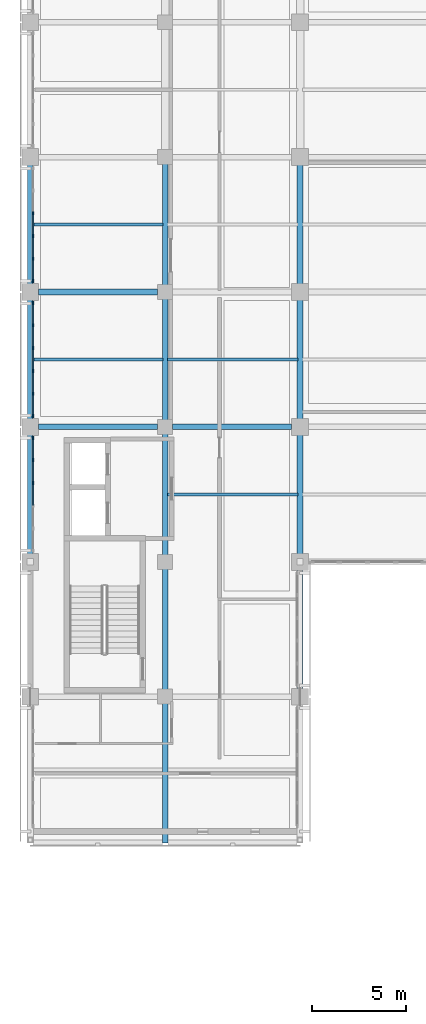
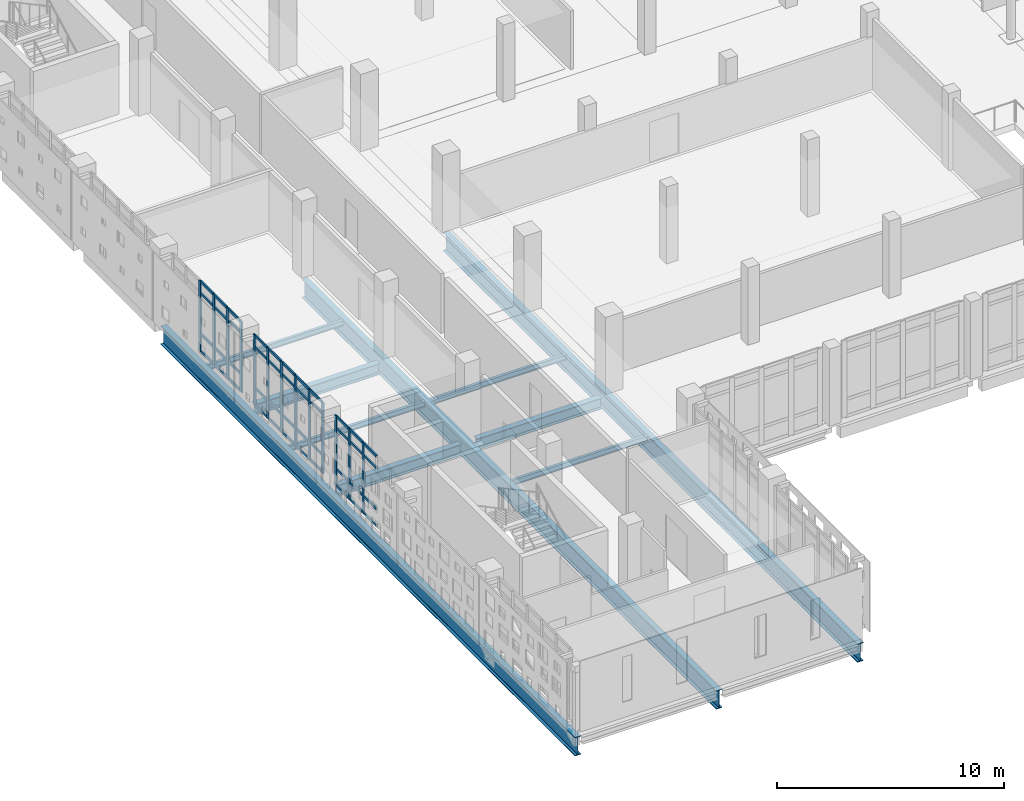
# One storey, part 11 of 62: 57 members, 10 beams, 3 elements without a shape of their own.
"""IFC4 building model written with IfcOpenShell, lengths in metres."""

from ifc_helpers import new_model, si_unit, direction, frame, origin, origin_2d, place, context, subcontext, project, spatial, rectangle, i_section, extrude, material, layer, layer_set, material_profile, profile_set, type_object, element, aggregate, save


model = new_model("IFC4")

# Units and contexts
model_context = context("Model", 3, precision=1e-05, world=origin(), true_north=direction((0.0, 1.0)))
body_context = subcontext(model_context, "Body", "Model", "MODEL_VIEW")
ifc_project = project(units=[si_unit("LENGTHUNIT", "METRE"), si_unit("AREAUNIT", "SQUARE_METRE"), si_unit("VOLUMEUNIT", "CUBIC_METRE"), si_unit("PLANEANGLEUNIT", "RADIAN"), si_unit("MASSUNIT", "GRAM", prefix="KILO")], contexts=[model_context])

# Site, building, storey
site_placement = place(None, origin())
site = spatial("IfcSite", under=ifc_project, at=site_placement, CompositionType="ELEMENT")
building_placement = place(site_placement, origin())
building = spatial("IfcBuilding", under=site, at=building_placement, Name="Valkovuoma Quantum and Materials Research Institute", CompositionType="ELEMENT")
storey_placement = place(building_placement, frame((0.0, 0.0, 13.1201171875)))
storey = spatial("IfcBuildingStorey", under=building, at=storey_placement, Name="L03", CompositionType="ELEMENT", Elevation=13.1201171875)

# Beams
ifc_material_1 = material(Name="Steel S355J2", Category="steel")
ifc_material_profile_1 = material_profile(ifc_material_1, i_section(OverallWidth=0.300048828125, OverallDepth=1.0, WebThickness=0.01904296875, FlangeThickness=0.035888671875, FilletRadius=0.030029296875, at=origin_2d()), Name="Steel S355J2")
ifc_profile_set_1 = profile_set([ifc_material_profile_1], Name="Steel S355J2")
beam_type_1 = type_object("IfcBeamType", Name="Beam-B-HEB1000", PredefinedType="BEAM", material=ifc_profile_set_1)
for number, where, z_axis, x_axis, name in (
    (1, (0.0, 21.0, -0.85009765625), (0.0, 1.0, 0.0), (-1.0, 0.0, 0.0), "L03 cantilever girder X0"),
    (2, (7.199951171875, 21.0, -0.85009765625), (0.0, 1.0, 0.0), (-1.0, 0.0, 0.0), "L03 cantilever girder X1"),
    (3, (14.39990234375, 21.0, -0.85009765625), (0.0, 1.0, 0.0), (-1.0, 0.0, 0.0), "L03 cantilever girder X2"),
):
    element("IfcBeam", number, at=place(storey_placement, frame(where, z_axis=z_axis, x_axis=x_axis)), inside=storey, type_object=beam_type_1, Name=name, PredefinedType="BEAM", context=body_context, shape_type="SweptSolid", body=[
        extrude(i_section(OverallWidth=0.300048828125, OverallDepth=1.0, WebThickness=0.01904296875, FlangeThickness=0.035888671875, FilletRadius=0.030029296875, at=origin_2d()), origin(), (0.0, 0.0, 1.0), 36.60009765625),
    ])
ifc_material_2 = material(Name="Steel S355J2", Category="steel")
ifc_material_profile_2 = material_profile(ifc_material_2, i_section(OverallWidth=0.300048828125, OverallDepth=0.60009765625, WebThickness=0.015380859375, FlangeThickness=0.030029296875, FilletRadius=0.027099609375, at=origin_2d()), Name="Steel S355J2")
ifc_profile_set_2 = profile_set([ifc_material_profile_2], Name="Steel S355J2")
beam_type_2 = type_object("IfcBeamType", Name="Beam-B-HEB600", PredefinedType="BEAM", material=ifc_profile_set_2)
beam_1_placement = place(storey_placement, frame((0.449951171875, 43.199951171875, -0.650146484375), z_axis=(1.0, 0.0, 0.0), x_axis=(0.0, 1.0, 0.0)))
element("IfcBeam", 4, at=beam_1_placement, inside=storey, type_object=beam_type_2, Name="L03 beam X-1443", PredefinedType="BEAM", context=body_context, shape_type="SweptSolid", body=[
    extrude(i_section(OverallWidth=0.300048828125, OverallDepth=0.60009765625, WebThickness=0.015380859375, FlangeThickness=0.030029296875, FilletRadius=0.027099609375, at=origin_2d()), origin(), (0.0, 0.0, 1.0), 6.35009765625),
])
beam_2_placement = place(storey_placement, frame((7.60009765625, 43.199951171875, -0.650146484375), z_axis=(1.0, 0.0, 0.0), x_axis=(0.0, 1.0, 0.0)))
element("IfcBeam", 5, at=beam_2_placement, inside=storey, type_object=beam_type_2, Name="L03 beam X-1444", PredefinedType="BEAM", context=body_context, shape_type="SweptSolid", body=[
    extrude(i_section(OverallWidth=0.300048828125, OverallDepth=0.60009765625, WebThickness=0.015380859375, FlangeThickness=0.030029296875, FilletRadius=0.027099609375, at=origin_2d()), origin(), (0.0, 0.0, 1.0), 6.349853515625),
])
beam_3_placement = place(storey_placement, frame((0.449951171875, 50.39990234375, -0.650146484375), z_axis=(1.0, 0.0, 0.0), x_axis=(0.0, 1.0, 0.0)))
element("IfcBeam", 6, at=beam_3_placement, inside=storey, type_object=beam_type_2, Name="L03 beam X-1454", PredefinedType="BEAM", context=body_context, shape_type="SweptSolid", body=[
    extrude(i_section(OverallWidth=0.300048828125, OverallDepth=0.60009765625, WebThickness=0.015380859375, FlangeThickness=0.030029296875, FilletRadius=0.027099609375, at=origin_2d()), origin(), (0.0, 0.0, 1.0), 6.35009765625),
])
ifc_material_3 = material(Name="Steel S355J2", Category="steel")
ifc_material_profile_3 = material_profile(ifc_material_3, i_section(OverallWidth=0.14990234375, OverallDepth=0.300048828125, WebThickness=0.007080078125, FlangeThickness=0.0107421875, FilletRadius=0.014892578125, at=origin_2d()), Name="Steel S355J2")
ifc_profile_set_3 = profile_set([ifc_material_profile_3], Name="Steel S355J2")
beam_type_3 = type_object("IfcBeamType", Name="Beam-B-JST300", PredefinedType="JOIST", material=ifc_profile_set_3)
for number, where, z_axis, x_axis, name in (
    (7, (7.320068359375, 39.60009765625, -0.5), (1.0, 0.0, 0.0), (0.0, 1.0, 0.0), "L03 floor joist 1702"),
    (8, (0.1201171875, 46.800048828125, -0.5), (1.0, 0.0, 0.0), (0.0, 1.0, 0.0), "L03 floor joist 1712"),
    (9, (7.320068359375, 46.800048828125, -0.5), (1.0, 0.0, 0.0), (0.0, 1.0, 0.0), "L03 floor joist 1713"),
    (10, (0.1201171875, 54.0, -0.5), (1.0, 0.0, 0.0), (0.0, 1.0, 0.0), "L03 floor joist 1722"),
):
    element("IfcBeam", number, at=place(storey_placement, frame(where, z_axis=z_axis, x_axis=x_axis)), inside=storey, type_object=beam_type_3, Name=name, PredefinedType="JOIST", context=body_context, shape_type="SweptSolid", body=[
        extrude(i_section(OverallWidth=0.14990234375, OverallDepth=0.300048828125, WebThickness=0.007080078125, FlangeThickness=0.0107421875, FilletRadius=0.014892578125, at=origin_2d()), origin(), (0.0, 0.0, 1.0), 6.9599609375),
    ])

# Curtain wall, members
ifc_material_4 = material(Name="Thermally broken aluminium and triple low-E glazing", Category="aluminium")
ifc_layer = layer(ifc_material_4, 0.219970703125)
ifc_layer_set = layer_set([ifc_layer], Name="Thermally broken aluminium and triple low-E glazing")
curtain_wall_type = type_object("IfcCurtainWallType", Name="CW-CW-01", PredefinedType="NOTDEFINED", material=ifc_layer_set)
curtain_wall_1_placement = place(storey_placement, origin())
curtain_wall_1 = element("IfcCurtainWall", 11, at=curtain_wall_1_placement, inside=storey, type_object=curtain_wall_type, Name="L03 curtain wall 031", PredefinedType="NOTDEFINED")
ifc_material_5 = material(Name="Anodised aluminium 6060-T66", Category="aluminium")
ifc_material_profile_4 = material_profile(ifc_material_5, rectangle(XDim=0.06494140625, YDim=0.179931640625, at=origin_2d()), Name="Anodised aluminium 6060-T66")
ifc_profile_set_4 = profile_set([ifc_material_profile_4], Name="Anodised aluminium 6060-T66")
member_type_1 = type_object("IfcMemberType", Name="CWMull-CWM-01", PredefinedType="MULLION", material=ifc_profile_set_4)
member_1_placement = place(storey_placement, frame((0.14990234375, 40.20849609375, 0.0), z_axis=(0.0, 0.0, 1.0), x_axis=(-1.0, 0.0, 0.0)))
member_1 = element("IfcMember", 12, at=member_1_placement, type_object=member_type_1, Name="CW-01 mullion 4", PredefinedType="MULLION", context=body_context, shape_type="SweptSolid", body=[
    extrude(rectangle(XDim=0.06494140625, YDim=0.179931640625, at=origin_2d()), origin(), (0.0, 0.0, 1.0), 3.809814453125),
])
member_2_placement = place(storey_placement, frame((0.14990234375, 41.42578125, 0.0), z_axis=(0.0, 0.0, 1.0), x_axis=(-1.0, 0.0, 0.0)))
member_2 = element("IfcMember", 13, at=member_2_placement, type_object=member_type_1, Name="CW-01 mullion 5", PredefinedType="MULLION", context=body_context, shape_type="SweptSolid", body=[
    extrude(rectangle(XDim=0.06494140625, YDim=0.179931640625, at=origin_2d()), origin(), (0.0, 0.0, 1.0), 3.809814453125),
])
member_3_placement = place(storey_placement, frame((0.14990234375, 42.6103515625, 0.0), z_axis=(0.0, 0.0, 1.0), x_axis=(-1.0, 0.0, 0.0)))
member_3 = element("IfcMember", 14, at=member_3_placement, type_object=member_type_1, Name="CW-01 mullion 6", PredefinedType="MULLION", context=body_context, shape_type="SweptSolid", body=[
    extrude(rectangle(XDim=0.06494140625, YDim=0.179931640625, at=origin_2d()), origin(), (0.0, 0.0, 1.0), 3.809814453125),
])

curtain_wall_2_placement = place(storey_placement, origin())
curtain_wall_2 = element("IfcCurtainWall", 15, at=curtain_wall_2_placement, inside=storey, type_object=curtain_wall_type, Name="L03 curtain wall 032", PredefinedType="NOTDEFINED")
member_4_placement = place(storey_placement, frame((0.14990234375, 43.78955078125, 0.0), z_axis=(0.0, 0.0, 1.0), x_axis=(-1.0, 0.0, 0.0)))
member_4 = element("IfcMember", 16, at=member_4_placement, type_object=member_type_1, Name="CW-01 mullion 1", PredefinedType="MULLION", context=body_context, shape_type="SweptSolid", body=[
    extrude(rectangle(XDim=0.06494140625, YDim=0.179931640625, at=origin_2d()), origin(), (0.0, 0.0, 1.0), 3.809814453125),
])
member_5_placement = place(storey_placement, frame((0.14990234375, 44.974365234375, 0.0), z_axis=(0.0, 0.0, 1.0), x_axis=(-1.0, 0.0, 0.0)))
member_5 = element("IfcMember", 17, at=member_5_placement, type_object=member_type_1, Name="CW-01 mullion 2", PredefinedType="MULLION", context=body_context, shape_type="SweptSolid", body=[
    extrude(rectangle(XDim=0.06494140625, YDim=0.179931640625, at=origin_2d()), origin(), (0.0, 0.0, 1.0), 3.809814453125),
])
member_6_placement = place(storey_placement, frame((0.14990234375, 46.19140625, 0.0), z_axis=(0.0, 0.0, 1.0), x_axis=(-1.0, 0.0, 0.0)))
member_6 = element("IfcMember", 18, at=member_6_placement, type_object=member_type_1, Name="CW-01 mullion 3", PredefinedType="MULLION", context=body_context, shape_type="SweptSolid", body=[
    extrude(rectangle(XDim=0.06494140625, YDim=0.179931640625, at=origin_2d()), origin(), (0.0, 0.0, 1.0), 3.809814453125),
])
member_7_placement = place(storey_placement, frame((0.14990234375, 47.40869140625, 0.0), z_axis=(0.0, 0.0, 1.0), x_axis=(-1.0, 0.0, 0.0)))
member_7 = element("IfcMember", 19, at=member_7_placement, type_object=member_type_1, Name="CW-01 mullion 4", PredefinedType="MULLION", context=body_context, shape_type="SweptSolid", body=[
    extrude(rectangle(XDim=0.06494140625, YDim=0.179931640625, at=origin_2d()), origin(), (0.0, 0.0, 1.0), 3.809814453125),
])
member_8_placement = place(storey_placement, frame((0.14990234375, 48.625732421875, 0.0), z_axis=(0.0, 0.0, 1.0), x_axis=(-1.0, 0.0, 0.0)))
member_8 = element("IfcMember", 20, at=member_8_placement, type_object=member_type_1, Name="CW-01 mullion 5", PredefinedType="MULLION", context=body_context, shape_type="SweptSolid", body=[
    extrude(rectangle(XDim=0.06494140625, YDim=0.179931640625, at=origin_2d()), origin(), (0.0, 0.0, 1.0), 3.809814453125),
])
member_9_placement = place(storey_placement, frame((0.14990234375, 49.810302734375, 0.0), z_axis=(0.0, 0.0, 1.0), x_axis=(-1.0, 0.0, 0.0)))
member_9 = element("IfcMember", 21, at=member_9_placement, type_object=member_type_1, Name="CW-01 mullion 6", PredefinedType="MULLION", context=body_context, shape_type="SweptSolid", body=[
    extrude(rectangle(XDim=0.06494140625, YDim=0.179931640625, at=origin_2d()), origin(), (0.0, 0.0, 1.0), 3.809814453125),
])

curtain_wall_3_placement = place(storey_placement, origin())
curtain_wall_3 = element("IfcCurtainWall", 22, at=curtain_wall_3_placement, inside=storey, type_object=curtain_wall_type, Name="L03 curtain wall 033", PredefinedType="NOTDEFINED")
member_10_placement = place(storey_placement, frame((0.14990234375, 50.989501953125, 0.0), z_axis=(0.0, 0.0, 1.0), x_axis=(-1.0, 0.0, 0.0)))
member_10 = element("IfcMember", 23, at=member_10_placement, type_object=member_type_1, Name="CW-01 mullion 1", PredefinedType="MULLION", context=body_context, shape_type="SweptSolid", body=[
    extrude(rectangle(XDim=0.06494140625, YDim=0.179931640625, at=origin_2d()), origin(), (0.0, 0.0, 1.0), 3.809814453125),
])
member_11_placement = place(storey_placement, frame((0.14990234375, 52.17431640625, 0.0), z_axis=(0.0, 0.0, 1.0), x_axis=(-1.0, 0.0, 0.0)))
member_11 = element("IfcMember", 24, at=member_11_placement, type_object=member_type_1, Name="CW-01 mullion 2", PredefinedType="MULLION", context=body_context, shape_type="SweptSolid", body=[
    extrude(rectangle(XDim=0.06494140625, YDim=0.179931640625, at=origin_2d()), origin(), (0.0, 0.0, 1.0), 3.809814453125),
])
member_12_placement = place(storey_placement, frame((0.14990234375, 53.391357421875, 0.0), z_axis=(0.0, 0.0, 1.0), x_axis=(-1.0, 0.0, 0.0)))
member_12 = element("IfcMember", 25, at=member_12_placement, type_object=member_type_1, Name="CW-01 mullion 3", PredefinedType="MULLION", context=body_context, shape_type="SweptSolid", body=[
    extrude(rectangle(XDim=0.06494140625, YDim=0.179931640625, at=origin_2d()), origin(), (0.0, 0.0, 1.0), 3.809814453125),
])
member_13_placement = place(storey_placement, frame((0.14990234375, 54.608642578125, 0.0), z_axis=(0.0, 0.0, 1.0), x_axis=(-1.0, 0.0, 0.0)))
member_13 = element("IfcMember", 26, at=member_13_placement, type_object=member_type_1, Name="CW-01 mullion 4", PredefinedType="MULLION", context=body_context, shape_type="SweptSolid", body=[
    extrude(rectangle(XDim=0.06494140625, YDim=0.179931640625, at=origin_2d()), origin(), (0.0, 0.0, 1.0), 3.809814453125),
])

# Member
ifc_material_6 = material(Name="Anodised aluminium 6060-T66", Category="aluminium")
ifc_material_profile_5 = material_profile(ifc_material_6, rectangle(XDim=0.06494140625, YDim=0.139892578125, at=origin_2d()), Name="Anodised aluminium 6060-T66")
ifc_profile_set_5 = profile_set([ifc_material_profile_5], Name="Anodised aluminium 6060-T66")
member_type_2 = type_object("IfcMemberType", Name="CWTran-CWT-01", PredefinedType="USERDEFINED", material=ifc_profile_set_5)
member_14_placement = place(storey_placement, frame((0.14990234375, 39.02392578125, 0.032470703125), z_axis=(0.0, 1.0, 0.0), x_axis=(-1.0, 0.0, 0.0)))
member_14 = element("IfcMember", 27, at=member_14_placement, type_object=member_type_2, Name="CW-01 transom 3.1", ObjectType="TRANSOM", PredefinedType="USERDEFINED", context=body_context, shape_type="SweptSolid", body=[
    extrude(rectangle(XDim=0.06494140625, YDim=0.139892578125, at=origin_2d()), origin(), (0.0, 0.0, 1.0), 1.152099609375),
])

member_15_placement = place(storey_placement, frame((0.14990234375, 39.02392578125, 0.949951171875), z_axis=(0.0, 1.0, 0.0), x_axis=(-1.0, 0.0, 0.0)))
member_15 = element("IfcMember", 28, at=member_15_placement, type_object=member_type_2, Name="CW-01 transom 3.2", ObjectType="TRANSOM", PredefinedType="USERDEFINED", context=body_context, shape_type="SweptSolid", body=[
    extrude(rectangle(XDim=0.06494140625, YDim=0.139892578125, at=origin_2d()), origin(), (0.0, 0.0, 1.0), 1.152099609375),
])

member_16_placement = place(storey_placement, frame((0.14990234375, 39.02392578125, 3.159912109375), z_axis=(0.0, 1.0, 0.0), x_axis=(-1.0, 0.0, 0.0)))
member_16 = element("IfcMember", 29, at=member_16_placement, type_object=member_type_2, Name="CW-01 transom 3.3", ObjectType="TRANSOM", PredefinedType="USERDEFINED", context=body_context, shape_type="SweptSolid", body=[
    extrude(rectangle(XDim=0.06494140625, YDim=0.139892578125, at=origin_2d()), origin(), (0.0, 0.0, 1.0), 1.152099609375),
])

member_17_placement = place(storey_placement, frame((0.14990234375, 39.02392578125, 3.77734375), z_axis=(0.0, 1.0, 0.0), x_axis=(-1.0, 0.0, 0.0)))
member_17 = element("IfcMember", 30, at=member_17_placement, type_object=member_type_2, Name="CW-01 transom 3.4", ObjectType="TRANSOM", PredefinedType="USERDEFINED", context=body_context, shape_type="SweptSolid", body=[
    extrude(rectangle(XDim=0.06494140625, YDim=0.139892578125, at=origin_2d()), origin(), (0.0, 0.0, 1.0), 1.152099609375),
])

member_18_placement = place(storey_placement, frame((0.14990234375, 40.240966796875, 0.032470703125), z_axis=(0.0, 1.0, 0.0), x_axis=(-1.0, 0.0, 0.0)))
member_18 = element("IfcMember", 31, at=member_18_placement, type_object=member_type_2, Name="CW-01 transom 4.1", ObjectType="TRANSOM", PredefinedType="USERDEFINED", context=body_context, shape_type="SweptSolid", body=[
    extrude(rectangle(XDim=0.06494140625, YDim=0.139892578125, at=origin_2d()), origin(), (0.0, 0.0, 1.0), 1.15234375),
])

member_19_placement = place(storey_placement, frame((0.14990234375, 40.240966796875, 0.949951171875), z_axis=(0.0, 1.0, 0.0), x_axis=(-1.0, 0.0, 0.0)))
member_19 = element("IfcMember", 32, at=member_19_placement, type_object=member_type_2, Name="CW-01 transom 4.2", ObjectType="TRANSOM", PredefinedType="USERDEFINED", context=body_context, shape_type="SweptSolid", body=[
    extrude(rectangle(XDim=0.06494140625, YDim=0.139892578125, at=origin_2d()), origin(), (0.0, 0.0, 1.0), 1.15234375),
])

member_20_placement = place(storey_placement, frame((0.14990234375, 40.240966796875, 3.159912109375), z_axis=(0.0, 1.0, 0.0), x_axis=(-1.0, 0.0, 0.0)))
member_20 = element("IfcMember", 33, at=member_20_placement, type_object=member_type_2, Name="CW-01 transom 4.3", ObjectType="TRANSOM", PredefinedType="USERDEFINED", context=body_context, shape_type="SweptSolid", body=[
    extrude(rectangle(XDim=0.06494140625, YDim=0.139892578125, at=origin_2d()), origin(), (0.0, 0.0, 1.0), 1.15234375),
])

member_21_placement = place(storey_placement, frame((0.14990234375, 40.240966796875, 3.77734375), z_axis=(0.0, 1.0, 0.0), x_axis=(-1.0, 0.0, 0.0)))
member_21 = element("IfcMember", 34, at=member_21_placement, type_object=member_type_2, Name="CW-01 transom 4.4", ObjectType="TRANSOM", PredefinedType="USERDEFINED", context=body_context, shape_type="SweptSolid", body=[
    extrude(rectangle(XDim=0.06494140625, YDim=0.139892578125, at=origin_2d()), origin(), (0.0, 0.0, 1.0), 1.15234375),
])

member_22_placement = place(storey_placement, frame((0.14990234375, 41.458251953125, 0.032470703125), z_axis=(0.0, 1.0, 0.0), x_axis=(-1.0, 0.0, 0.0)))
member_22 = element("IfcMember", 35, at=member_22_placement, type_object=member_type_2, Name="CW-01 transom 5.1", ObjectType="TRANSOM", PredefinedType="USERDEFINED", context=body_context, shape_type="SweptSolid", body=[
    extrude(rectangle(XDim=0.06494140625, YDim=0.139892578125, at=origin_2d()), origin(), (0.0, 0.0, 1.0), 1.11962890625),
])

member_23_placement = place(storey_placement, frame((0.14990234375, 41.458251953125, 0.949951171875), z_axis=(0.0, 1.0, 0.0), x_axis=(-1.0, 0.0, 0.0)))
member_23 = element("IfcMember", 36, at=member_23_placement, type_object=member_type_2, Name="CW-01 transom 5.2", ObjectType="TRANSOM", PredefinedType="USERDEFINED", context=body_context, shape_type="SweptSolid", body=[
    extrude(rectangle(XDim=0.06494140625, YDim=0.139892578125, at=origin_2d()), origin(), (0.0, 0.0, 1.0), 1.11962890625),
])

member_24_placement = place(storey_placement, frame((0.14990234375, 41.458251953125, 3.159912109375), z_axis=(0.0, 1.0, 0.0), x_axis=(-1.0, 0.0, 0.0)))
member_24 = element("IfcMember", 37, at=member_24_placement, type_object=member_type_2, Name="CW-01 transom 5.3", ObjectType="TRANSOM", PredefinedType="USERDEFINED", context=body_context, shape_type="SweptSolid", body=[
    extrude(rectangle(XDim=0.06494140625, YDim=0.139892578125, at=origin_2d()), origin(), (0.0, 0.0, 1.0), 1.11962890625),
])

member_25_placement = place(storey_placement, frame((0.14990234375, 41.458251953125, 3.77734375), z_axis=(0.0, 1.0, 0.0), x_axis=(-1.0, 0.0, 0.0)))
member_25 = element("IfcMember", 38, at=member_25_placement, type_object=member_type_2, Name="CW-01 transom 5.4", ObjectType="TRANSOM", PredefinedType="USERDEFINED", context=body_context, shape_type="SweptSolid", body=[
    extrude(rectangle(XDim=0.06494140625, YDim=0.139892578125, at=origin_2d()), origin(), (0.0, 0.0, 1.0), 1.11962890625),
])

aggregate(curtain_wall_1, [member_1, member_2, member_3, member_14, member_15, member_16, member_17, member_18, member_19, member_20, member_21, member_22, member_23, member_24, member_25])

member_26_placement = place(storey_placement, frame((0.14990234375, 43.822021484375, 0.032470703125), z_axis=(0.0, 1.0, 0.0), x_axis=(-1.0, 0.0, 0.0)))
member_26 = element("IfcMember", 39, at=member_26_placement, type_object=member_type_2, Name="CW-01 transom 1.1", ObjectType="TRANSOM", PredefinedType="USERDEFINED", context=body_context, shape_type="SweptSolid", body=[
    extrude(rectangle(XDim=0.06494140625, YDim=0.139892578125, at=origin_2d()), origin(), (0.0, 0.0, 1.0), 1.11962890625),
])

member_27_placement = place(storey_placement, frame((0.14990234375, 43.822021484375, 0.949951171875), z_axis=(0.0, 1.0, 0.0), x_axis=(-1.0, 0.0, 0.0)))
member_27 = element("IfcMember", 40, at=member_27_placement, type_object=member_type_2, Name="CW-01 transom 1.2", ObjectType="TRANSOM", PredefinedType="USERDEFINED", context=body_context, shape_type="SweptSolid", body=[
    extrude(rectangle(XDim=0.06494140625, YDim=0.139892578125, at=origin_2d()), origin(), (0.0, 0.0, 1.0), 1.11962890625),
])

member_28_placement = place(storey_placement, frame((0.14990234375, 43.822021484375, 3.159912109375), z_axis=(0.0, 1.0, 0.0), x_axis=(-1.0, 0.0, 0.0)))
member_28 = element("IfcMember", 41, at=member_28_placement, type_object=member_type_2, Name="CW-01 transom 1.3", ObjectType="TRANSOM", PredefinedType="USERDEFINED", context=body_context, shape_type="SweptSolid", body=[
    extrude(rectangle(XDim=0.06494140625, YDim=0.139892578125, at=origin_2d()), origin(), (0.0, 0.0, 1.0), 1.11962890625),
])

member_29_placement = place(storey_placement, frame((0.14990234375, 43.822021484375, 3.77734375), z_axis=(0.0, 1.0, 0.0), x_axis=(-1.0, 0.0, 0.0)))
member_29 = element("IfcMember", 42, at=member_29_placement, type_object=member_type_2, Name="CW-01 transom 1.4", ObjectType="TRANSOM", PredefinedType="USERDEFINED", context=body_context, shape_type="SweptSolid", body=[
    extrude(rectangle(XDim=0.06494140625, YDim=0.139892578125, at=origin_2d()), origin(), (0.0, 0.0, 1.0), 1.11962890625),
])

member_30_placement = place(storey_placement, frame((0.14990234375, 45.0068359375, 0.032470703125), z_axis=(0.0, 1.0, 0.0), x_axis=(-1.0, 0.0, 0.0)))
member_30 = element("IfcMember", 43, at=member_30_placement, type_object=member_type_2, Name="CW-01 transom 2.1", ObjectType="TRANSOM", PredefinedType="USERDEFINED", context=body_context, shape_type="SweptSolid", body=[
    extrude(rectangle(XDim=0.06494140625, YDim=0.139892578125, at=origin_2d()), origin(), (0.0, 0.0, 1.0), 1.152099609375),
])

member_31_placement = place(storey_placement, frame((0.14990234375, 45.0068359375, 0.949951171875), z_axis=(0.0, 1.0, 0.0), x_axis=(-1.0, 0.0, 0.0)))
member_31 = element("IfcMember", 44, at=member_31_placement, type_object=member_type_2, Name="CW-01 transom 2.2", ObjectType="TRANSOM", PredefinedType="USERDEFINED", context=body_context, shape_type="SweptSolid", body=[
    extrude(rectangle(XDim=0.06494140625, YDim=0.139892578125, at=origin_2d()), origin(), (0.0, 0.0, 1.0), 1.152099609375),
])

member_32_placement = place(storey_placement, frame((0.14990234375, 45.0068359375, 3.159912109375), z_axis=(0.0, 1.0, 0.0), x_axis=(-1.0, 0.0, 0.0)))
member_32 = element("IfcMember", 45, at=member_32_placement, type_object=member_type_2, Name="CW-01 transom 2.3", ObjectType="TRANSOM", PredefinedType="USERDEFINED", context=body_context, shape_type="SweptSolid", body=[
    extrude(rectangle(XDim=0.06494140625, YDim=0.139892578125, at=origin_2d()), origin(), (0.0, 0.0, 1.0), 1.152099609375),
])

member_33_placement = place(storey_placement, frame((0.14990234375, 45.0068359375, 3.77734375), z_axis=(0.0, 1.0, 0.0), x_axis=(-1.0, 0.0, 0.0)))
member_33 = element("IfcMember", 46, at=member_33_placement, type_object=member_type_2, Name="CW-01 transom 2.4", ObjectType="TRANSOM", PredefinedType="USERDEFINED", context=body_context, shape_type="SweptSolid", body=[
    extrude(rectangle(XDim=0.06494140625, YDim=0.139892578125, at=origin_2d()), origin(), (0.0, 0.0, 1.0), 1.152099609375),
])

member_34_placement = place(storey_placement, frame((0.14990234375, 46.223876953125, 0.032470703125), z_axis=(0.0, 1.0, 0.0), x_axis=(-1.0, 0.0, 0.0)))
member_34 = element("IfcMember", 47, at=member_34_placement, type_object=member_type_2, Name="CW-01 transom 3.1", ObjectType="TRANSOM", PredefinedType="USERDEFINED", context=body_context, shape_type="SweptSolid", body=[
    extrude(rectangle(XDim=0.06494140625, YDim=0.139892578125, at=origin_2d()), origin(), (0.0, 0.0, 1.0), 1.152099609375),
])

member_35_placement = place(storey_placement, frame((0.14990234375, 46.223876953125, 0.949951171875), z_axis=(0.0, 1.0, 0.0), x_axis=(-1.0, 0.0, 0.0)))
member_35 = element("IfcMember", 48, at=member_35_placement, type_object=member_type_2, Name="CW-01 transom 3.2", ObjectType="TRANSOM", PredefinedType="USERDEFINED", context=body_context, shape_type="SweptSolid", body=[
    extrude(rectangle(XDim=0.06494140625, YDim=0.139892578125, at=origin_2d()), origin(), (0.0, 0.0, 1.0), 1.152099609375),
])

member_36_placement = place(storey_placement, frame((0.14990234375, 46.223876953125, 3.159912109375), z_axis=(0.0, 1.0, 0.0), x_axis=(-1.0, 0.0, 0.0)))
member_36 = element("IfcMember", 49, at=member_36_placement, type_object=member_type_2, Name="CW-01 transom 3.3", ObjectType="TRANSOM", PredefinedType="USERDEFINED", context=body_context, shape_type="SweptSolid", body=[
    extrude(rectangle(XDim=0.06494140625, YDim=0.139892578125, at=origin_2d()), origin(), (0.0, 0.0, 1.0), 1.152099609375),
])

member_37_placement = place(storey_placement, frame((0.14990234375, 46.223876953125, 3.77734375), z_axis=(0.0, 1.0, 0.0), x_axis=(-1.0, 0.0, 0.0)))
member_37 = element("IfcMember", 50, at=member_37_placement, type_object=member_type_2, Name="CW-01 transom 3.4", ObjectType="TRANSOM", PredefinedType="USERDEFINED", context=body_context, shape_type="SweptSolid", body=[
    extrude(rectangle(XDim=0.06494140625, YDim=0.139892578125, at=origin_2d()), origin(), (0.0, 0.0, 1.0), 1.152099609375),
])

member_38_placement = place(storey_placement, frame((0.14990234375, 47.441162109375, 0.032470703125), z_axis=(0.0, 1.0, 0.0), x_axis=(-1.0, 0.0, 0.0)))
member_38 = element("IfcMember", 51, at=member_38_placement, type_object=member_type_2, Name="CW-01 transom 4.1", ObjectType="TRANSOM", PredefinedType="USERDEFINED", context=body_context, shape_type="SweptSolid", body=[
    extrude(rectangle(XDim=0.06494140625, YDim=0.139892578125, at=origin_2d()), origin(), (0.0, 0.0, 1.0), 1.152099609375),
])

member_39_placement = place(storey_placement, frame((0.14990234375, 47.441162109375, 0.949951171875), z_axis=(0.0, 1.0, 0.0), x_axis=(-1.0, 0.0, 0.0)))
member_39 = element("IfcMember", 52, at=member_39_placement, type_object=member_type_2, Name="CW-01 transom 4.2", ObjectType="TRANSOM", PredefinedType="USERDEFINED", context=body_context, shape_type="SweptSolid", body=[
    extrude(rectangle(XDim=0.06494140625, YDim=0.139892578125, at=origin_2d()), origin(), (0.0, 0.0, 1.0), 1.152099609375),
])

member_40_placement = place(storey_placement, frame((0.14990234375, 47.441162109375, 3.159912109375), z_axis=(0.0, 1.0, 0.0), x_axis=(-1.0, 0.0, 0.0)))
member_40 = element("IfcMember", 53, at=member_40_placement, type_object=member_type_2, Name="CW-01 transom 4.3", ObjectType="TRANSOM", PredefinedType="USERDEFINED", context=body_context, shape_type="SweptSolid", body=[
    extrude(rectangle(XDim=0.06494140625, YDim=0.139892578125, at=origin_2d()), origin(), (0.0, 0.0, 1.0), 1.152099609375),
])

member_41_placement = place(storey_placement, frame((0.14990234375, 47.441162109375, 3.77734375), z_axis=(0.0, 1.0, 0.0), x_axis=(-1.0, 0.0, 0.0)))
member_41 = element("IfcMember", 54, at=member_41_placement, type_object=member_type_2, Name="CW-01 transom 4.4", ObjectType="TRANSOM", PredefinedType="USERDEFINED", context=body_context, shape_type="SweptSolid", body=[
    extrude(rectangle(XDim=0.06494140625, YDim=0.139892578125, at=origin_2d()), origin(), (0.0, 0.0, 1.0), 1.152099609375),
])

member_42_placement = place(storey_placement, frame((0.14990234375, 48.658203125, 0.032470703125), z_axis=(0.0, 1.0, 0.0), x_axis=(-1.0, 0.0, 0.0)))
member_42 = element("IfcMember", 55, at=member_42_placement, type_object=member_type_2, Name="CW-01 transom 5.1", ObjectType="TRANSOM", PredefinedType="USERDEFINED", context=body_context, shape_type="SweptSolid", body=[
    extrude(rectangle(XDim=0.06494140625, YDim=0.139892578125, at=origin_2d()), origin(), (0.0, 0.0, 1.0), 1.11962890625),
])

member_43_placement = place(storey_placement, frame((0.14990234375, 48.658203125, 0.949951171875), z_axis=(0.0, 1.0, 0.0), x_axis=(-1.0, 0.0, 0.0)))
member_43 = element("IfcMember", 56, at=member_43_placement, type_object=member_type_2, Name="CW-01 transom 5.2", ObjectType="TRANSOM", PredefinedType="USERDEFINED", context=body_context, shape_type="SweptSolid", body=[
    extrude(rectangle(XDim=0.06494140625, YDim=0.139892578125, at=origin_2d()), origin(), (0.0, 0.0, 1.0), 1.11962890625),
])

member_44_placement = place(storey_placement, frame((0.14990234375, 48.658203125, 3.159912109375), z_axis=(0.0, 1.0, 0.0), x_axis=(-1.0, 0.0, 0.0)))
member_44 = element("IfcMember", 57, at=member_44_placement, type_object=member_type_2, Name="CW-01 transom 5.3", ObjectType="TRANSOM", PredefinedType="USERDEFINED", context=body_context, shape_type="SweptSolid", body=[
    extrude(rectangle(XDim=0.06494140625, YDim=0.139892578125, at=origin_2d()), origin(), (0.0, 0.0, 1.0), 1.11962890625),
])

member_45_placement = place(storey_placement, frame((0.14990234375, 48.658203125, 3.77734375), z_axis=(0.0, 1.0, 0.0), x_axis=(-1.0, 0.0, 0.0)))
member_45 = element("IfcMember", 58, at=member_45_placement, type_object=member_type_2, Name="CW-01 transom 5.4", ObjectType="TRANSOM", PredefinedType="USERDEFINED", context=body_context, shape_type="SweptSolid", body=[
    extrude(rectangle(XDim=0.06494140625, YDim=0.139892578125, at=origin_2d()), origin(), (0.0, 0.0, 1.0), 1.11962890625),
])

aggregate(curtain_wall_2, [member_4, member_5, member_6, member_7, member_8, member_9, member_26, member_27, member_28, member_29, member_30, member_31, member_32, member_33, member_34, member_35, member_36, member_37, member_38, member_39, member_40, member_41, member_42, member_43, member_44, member_45])

member_46_placement = place(storey_placement, frame((0.14990234375, 51.022216796875, 0.032470703125), z_axis=(0.0, 1.0, 0.0), x_axis=(-1.0, 0.0, 0.0)))
member_46 = element("IfcMember", 59, at=member_46_placement, type_object=member_type_2, Name="CW-01 transom 1.1", ObjectType="TRANSOM", PredefinedType="USERDEFINED", context=body_context, shape_type="SweptSolid", body=[
    extrude(rectangle(XDim=0.06494140625, YDim=0.139892578125, at=origin_2d()), origin(), (0.0, 0.0, 1.0), 1.11962890625),
])

member_47_placement = place(storey_placement, frame((0.14990234375, 51.022216796875, 0.949951171875), z_axis=(0.0, 1.0, 0.0), x_axis=(-1.0, 0.0, 0.0)))
member_47 = element("IfcMember", 60, at=member_47_placement, type_object=member_type_2, Name="CW-01 transom 1.2", ObjectType="TRANSOM", PredefinedType="USERDEFINED", context=body_context, shape_type="SweptSolid", body=[
    extrude(rectangle(XDim=0.06494140625, YDim=0.139892578125, at=origin_2d()), origin(), (0.0, 0.0, 1.0), 1.11962890625),
])

member_48_placement = place(storey_placement, frame((0.14990234375, 51.022216796875, 3.159912109375), z_axis=(0.0, 1.0, 0.0), x_axis=(-1.0, 0.0, 0.0)))
member_48 = element("IfcMember", 61, at=member_48_placement, type_object=member_type_2, Name="CW-01 transom 1.3", ObjectType="TRANSOM", PredefinedType="USERDEFINED", context=body_context, shape_type="SweptSolid", body=[
    extrude(rectangle(XDim=0.06494140625, YDim=0.139892578125, at=origin_2d()), origin(), (0.0, 0.0, 1.0), 1.11962890625),
])

member_49_placement = place(storey_placement, frame((0.14990234375, 51.022216796875, 3.77734375), z_axis=(0.0, 1.0, 0.0), x_axis=(-1.0, 0.0, 0.0)))
member_49 = element("IfcMember", 62, at=member_49_placement, type_object=member_type_2, Name="CW-01 transom 1.4", ObjectType="TRANSOM", PredefinedType="USERDEFINED", context=body_context, shape_type="SweptSolid", body=[
    extrude(rectangle(XDim=0.06494140625, YDim=0.139892578125, at=origin_2d()), origin(), (0.0, 0.0, 1.0), 1.11962890625),
])

member_50_placement = place(storey_placement, frame((0.14990234375, 52.206787109375, 0.032470703125), z_axis=(0.0, 1.0, 0.0), x_axis=(-1.0, 0.0, 0.0)))
member_50 = element("IfcMember", 63, at=member_50_placement, type_object=member_type_2, Name="CW-01 transom 2.1", ObjectType="TRANSOM", PredefinedType="USERDEFINED", context=body_context, shape_type="SweptSolid", body=[
    extrude(rectangle(XDim=0.06494140625, YDim=0.139892578125, at=origin_2d()), origin(), (0.0, 0.0, 1.0), 1.152099609375),
])

member_51_placement = place(storey_placement, frame((0.14990234375, 52.206787109375, 0.949951171875), z_axis=(0.0, 1.0, 0.0), x_axis=(-1.0, 0.0, 0.0)))
member_51 = element("IfcMember", 64, at=member_51_placement, type_object=member_type_2, Name="CW-01 transom 2.2", ObjectType="TRANSOM", PredefinedType="USERDEFINED", context=body_context, shape_type="SweptSolid", body=[
    extrude(rectangle(XDim=0.06494140625, YDim=0.139892578125, at=origin_2d()), origin(), (0.0, 0.0, 1.0), 1.152099609375),
])

member_52_placement = place(storey_placement, frame((0.14990234375, 52.206787109375, 3.159912109375), z_axis=(0.0, 1.0, 0.0), x_axis=(-1.0, 0.0, 0.0)))
member_52 = element("IfcMember", 65, at=member_52_placement, type_object=member_type_2, Name="CW-01 transom 2.3", ObjectType="TRANSOM", PredefinedType="USERDEFINED", context=body_context, shape_type="SweptSolid", body=[
    extrude(rectangle(XDim=0.06494140625, YDim=0.139892578125, at=origin_2d()), origin(), (0.0, 0.0, 1.0), 1.152099609375),
])

member_53_placement = place(storey_placement, frame((0.14990234375, 52.206787109375, 3.77734375), z_axis=(0.0, 1.0, 0.0), x_axis=(-1.0, 0.0, 0.0)))
member_53 = element("IfcMember", 66, at=member_53_placement, type_object=member_type_2, Name="CW-01 transom 2.4", ObjectType="TRANSOM", PredefinedType="USERDEFINED", context=body_context, shape_type="SweptSolid", body=[
    extrude(rectangle(XDim=0.06494140625, YDim=0.139892578125, at=origin_2d()), origin(), (0.0, 0.0, 1.0), 1.152099609375),
])

member_54_placement = place(storey_placement, frame((0.14990234375, 53.423828125, 0.032470703125), z_axis=(0.0, 1.0, 0.0), x_axis=(-1.0, 0.0, 0.0)))
member_54 = element("IfcMember", 67, at=member_54_placement, type_object=member_type_2, Name="CW-01 transom 3.1", ObjectType="TRANSOM", PredefinedType="USERDEFINED", context=body_context, shape_type="SweptSolid", body=[
    extrude(rectangle(XDim=0.06494140625, YDim=0.139892578125, at=origin_2d()), origin(), (0.0, 0.0, 1.0), 1.15234375),
])

member_55_placement = place(storey_placement, frame((0.14990234375, 53.423828125, 0.949951171875), z_axis=(0.0, 1.0, 0.0), x_axis=(-1.0, 0.0, 0.0)))
member_55 = element("IfcMember", 68, at=member_55_placement, type_object=member_type_2, Name="CW-01 transom 3.2", ObjectType="TRANSOM", PredefinedType="USERDEFINED", context=body_context, shape_type="SweptSolid", body=[
    extrude(rectangle(XDim=0.06494140625, YDim=0.139892578125, at=origin_2d()), origin(), (0.0, 0.0, 1.0), 1.15234375),
])

member_56_placement = place(storey_placement, frame((0.14990234375, 53.423828125, 3.159912109375), z_axis=(0.0, 1.0, 0.0), x_axis=(-1.0, 0.0, 0.0)))
member_56 = element("IfcMember", 69, at=member_56_placement, type_object=member_type_2, Name="CW-01 transom 3.3", ObjectType="TRANSOM", PredefinedType="USERDEFINED", context=body_context, shape_type="SweptSolid", body=[
    extrude(rectangle(XDim=0.06494140625, YDim=0.139892578125, at=origin_2d()), origin(), (0.0, 0.0, 1.0), 1.15234375),
])

member_57_placement = place(storey_placement, frame((0.14990234375, 53.423828125, 3.77734375), z_axis=(0.0, 1.0, 0.0), x_axis=(-1.0, 0.0, 0.0)))
member_57 = element("IfcMember", 70, at=member_57_placement, type_object=member_type_2, Name="CW-01 transom 3.4", ObjectType="TRANSOM", PredefinedType="USERDEFINED", context=body_context, shape_type="SweptSolid", body=[
    extrude(rectangle(XDim=0.06494140625, YDim=0.139892578125, at=origin_2d()), origin(), (0.0, 0.0, 1.0), 1.15234375),
])

aggregate(curtain_wall_3, [member_10, member_11, member_12, member_13, member_46, member_47, member_48, member_49, member_50, member_51, member_52, member_53, member_54, member_55, member_56, member_57])

save(model, "model.ifc")
